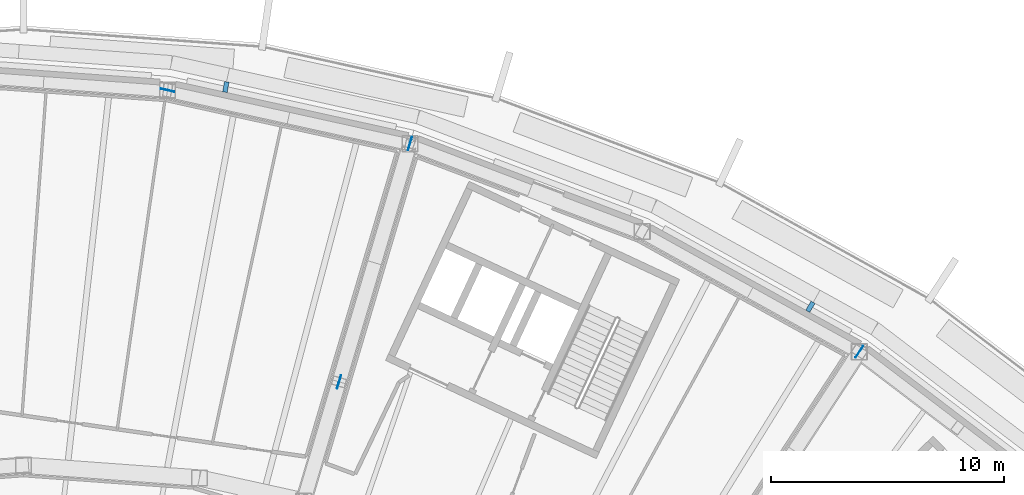
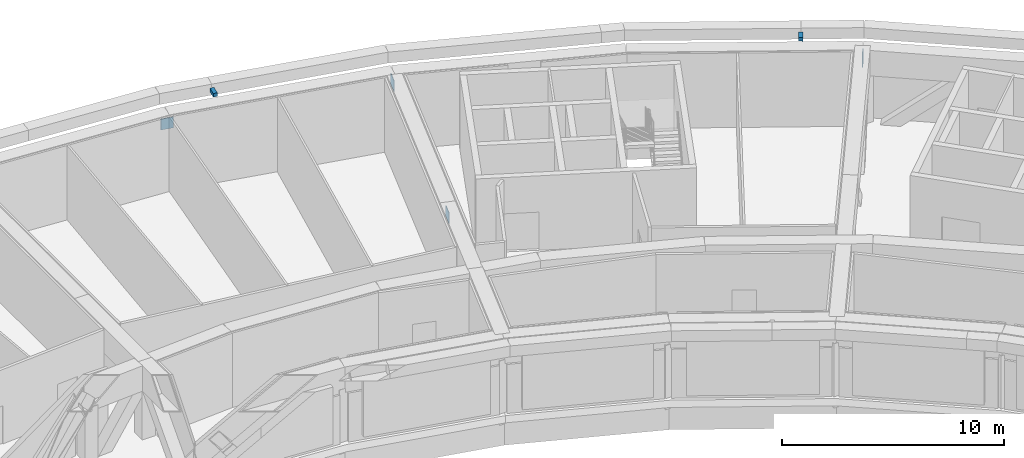
# One storey, part 20 of 25: 6 discrete accessories.
"""IFC4 building model written with IfcOpenShell, lengths in metres."""

from ifc_helpers import new_model, si_unit, direction, frame, origin, origin_2d, place, context, subcontext, project, spatial, rectangle, extrude, material, type_object, element, save


model = new_model("IFC4")

# Units and contexts
model_context = context("Model", 3, precision=1e-05, world=origin(), true_north=direction((0.0, 1.0)))
body_context = subcontext(model_context, "Body", "Model", "MODEL_VIEW")
ifc_project = project(units=[si_unit("LENGTHUNIT", "METRE"), si_unit("AREAUNIT", "SQUARE_METRE"), si_unit("VOLUMEUNIT", "CUBIC_METRE"), si_unit("PLANEANGLEUNIT", "RADIAN"), si_unit("MASSUNIT", "GRAM", prefix="KILO")], contexts=[model_context])

# Site, building, storey
site_placement = place(None, origin())
site = spatial("IfcSite", under=ifc_project, at=site_placement, CompositionType="ELEMENT")
building_placement = place(site_placement, origin())
building = spatial("IfcBuilding", under=site, at=building_placement, Name="Tuul Gate Civic Tower", CompositionType="ELEMENT")
storey_placement = place(building_placement, frame((0.0, 0.0, 133.699951171875)))
storey = spatial("IfcBuildingStorey", under=building, at=storey_placement, Name="Plant and refuge floor 4", CompositionType="ELEMENT", Elevation=133.699951171875)

# Discrete accessories
ifc_material_1 = material(Name="Steel S355", Category="steel")
discrete_accessory_type_1 = type_object("IfcDiscreteAccessoryType", Name="Gusset plate", PredefinedType="BRACKET", material=ifc_material_1)
for number, where, z_axis, x_axis, name in (
    (1, (26.451171875, 6.163330078125, 3.103271484375), (0.0, 0.0, 1.0), (-0.285212112775, -0.958464423297, 0.0), "Gusset plate"),
    (2, (23.402587890625, -4.08251953125, 3.103271484375), (0.0, 0.0, 1.0), (0.285212112775, 0.958464423297, 0.0), "Gusset plate"),
    (3, (45.77880859375, -2.790283203125, 3.103271484375), (0.0, 0.0, 1.0), (-0.546710516181, -0.837321689375, 0.0), "Gusset plate"),
    (4, (16.02294921875, 8.460205078125, 3.103271484375), (0.0, 0.0, 1.0), (0.976568946286, -0.215204770275, 0.0), "Gusset plate"),
):
    element("IfcDiscreteAccessory", number, at=place(storey_placement, frame(where, z_axis=z_axis, x_axis=x_axis)), inside=storey, type_object=discrete_accessory_type_1, Name=name, PredefinedType="BRACKET", context=body_context, shape_type="SweptSolid", body=[
        extrude(rectangle(XDim=0.60009765625, YDim=0.030029296875, at=origin_2d()), origin(), (0.0, 0.0, 1.0), 0.60009765625),
    ])
ifc_material_2 = material(Name="Stainless steel", Category="steel")
discrete_accessory_type_2 = type_object("IfcDiscreteAccessoryType", Name="Screen bracket", PredefinedType="BRACKET", material=ifc_material_2)
for number, where, z_axis, x_axis, name in (
    (5, (43.6728515625, -0.85302734375, 4.05029296875), (0.0, 0.0, 1.0), (0.514602661104, 0.857428773243, 0.0), "Screen bracket 4"),
    (6, (18.53369140625, 8.598388671875, 4.05029296875), (0.0, 0.0, 1.0), (0.176794433651, 0.984247798184, 0.0), "Screen bracket 7"),
):
    element("IfcDiscreteAccessory", number, at=place(storey_placement, frame(where, z_axis=z_axis, x_axis=x_axis)), inside=storey, type_object=discrete_accessory_type_2, Name=name, PredefinedType="BRACKET", context=body_context, shape_type="SweptSolid", body=[
        extrude(rectangle(XDim=0.4501953125, YDim=0.199951171875, at=origin_2d()), origin(), (0.0, 0.0, 1.0), 0.199951171875),
    ])

save(model, "model.ifc")
